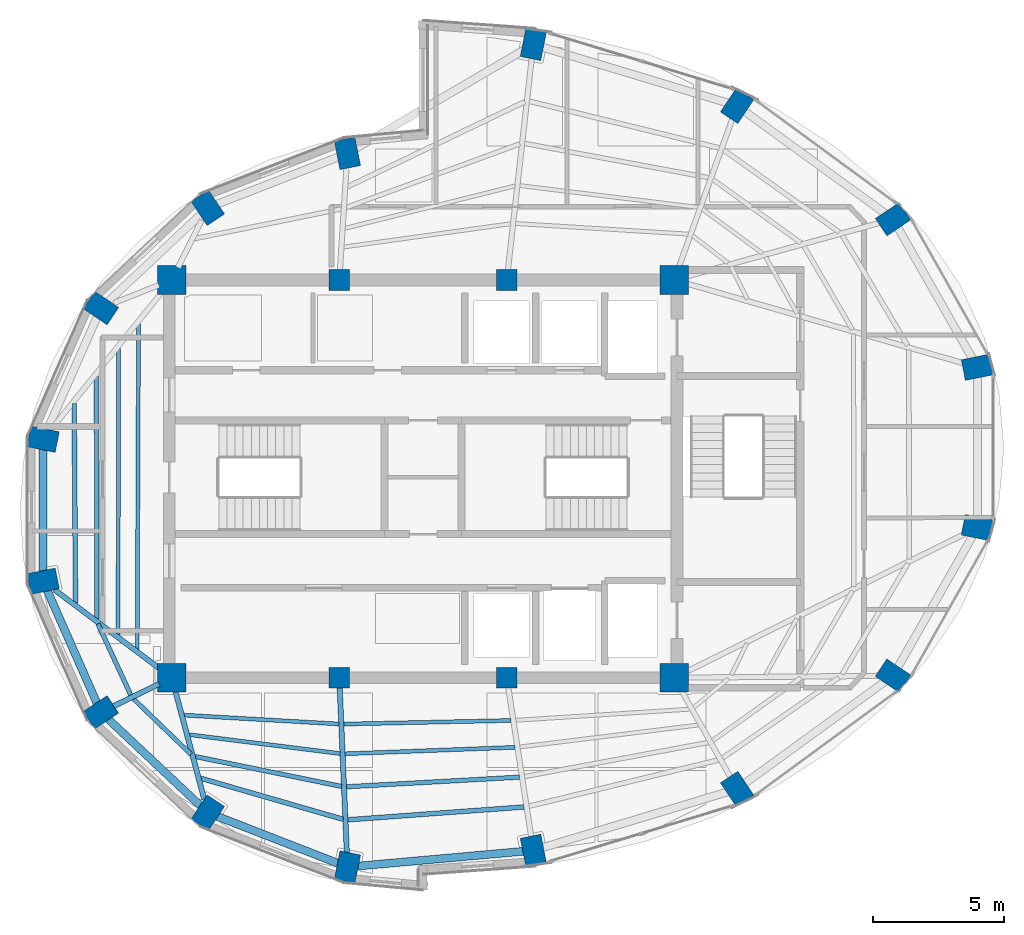
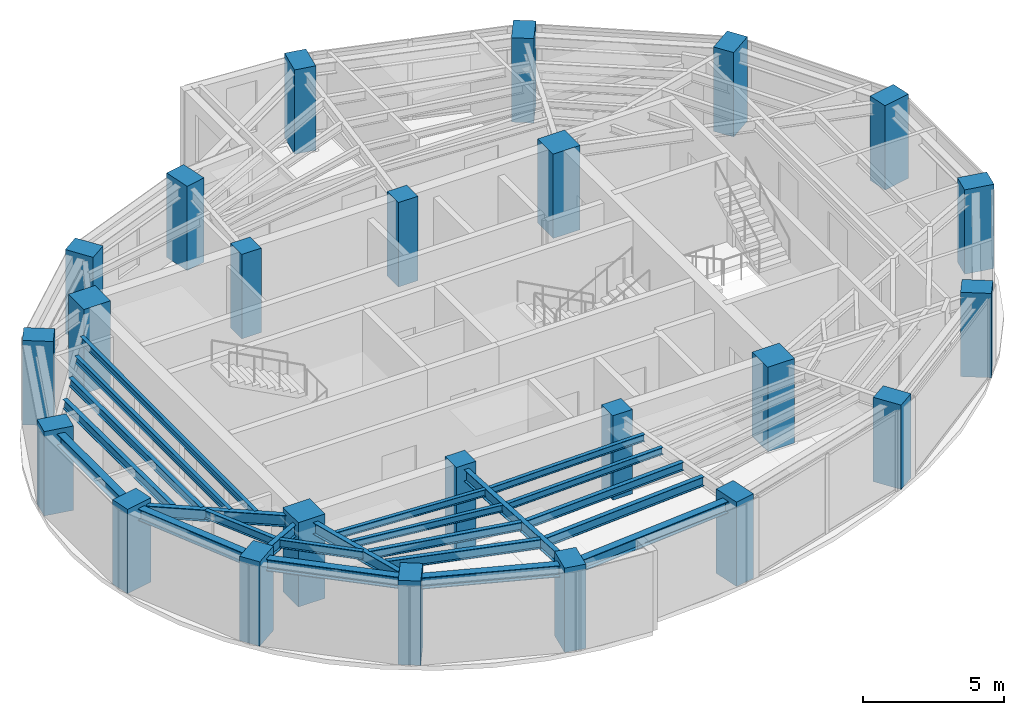
# One storey, part 1 of 13: 24 columns, 23 beams.
"""IFC4 building model written with IfcOpenShell, lengths in metres."""

from ifc_helpers import new_model, si_unit, direction, frame, origin, origin_2d, place, context, subcontext, project, spatial, rectangle, i_section, extrude, material, material_profile, profile_set, type_object, element, save


model = new_model("IFC4")

# Units and contexts
model_context = context("Model", 3, precision=1e-05, world=origin(), true_north=direction((0.0, 1.0)))
body_context = subcontext(model_context, "Body", "Model", "MODEL_VIEW")
ifc_project = project(units=[si_unit("LENGTHUNIT", "METRE"), si_unit("AREAUNIT", "SQUARE_METRE"), si_unit("VOLUMEUNIT", "CUBIC_METRE"), si_unit("PLANEANGLEUNIT", "RADIAN"), si_unit("MASSUNIT", "GRAM", prefix="KILO")], contexts=[model_context])

# Site, building, storey
site_placement = place(None, origin())
site = spatial("IfcSite", under=ifc_project, at=site_placement, CompositionType="ELEMENT")
building_placement = place(site_placement, origin())
building = spatial("IfcBuilding", under=site, at=building_placement, Name="Lazwardi Medical Tower", CompositionType="ELEMENT")
storey_placement = place(building_placement, frame((0.0, 0.0, 273.263916015625)))
storey = spatial("IfcBuildingStorey", under=building, at=storey_placement, Name="L71", CompositionType="ELEMENT", Elevation=273.263916015625)

# Columns
ifc_material_1 = material(Name="Concrete C80/95", Category="concrete")
ifc_material_profile_1 = material_profile(ifc_material_1, rectangle(XDim=1.10009765625, YDim=1.10009765625, at=origin_2d()), Name="RC 1100x1100")
ifc_profile_set_1 = profile_set([ifc_material_profile_1], Name="Concrete C80/95")
column_type_1 = type_object("IfcColumnType", Name="COL-CC-L", PredefinedType="COLUMN", material=ifc_profile_set_1)
for number, where, z_axis, x_axis, name in (
    (1, (26.39990234375, 20.39990234375, 0.0), (0.0, 0.0, 1.0), (1.0, 0.0, 0.0), "Core column CC-01 CC1 L71"),
    (2, (45.60009765625, 20.39990234375, 0.0), (0.0, 0.0, 1.0), (1.0, 0.0, 0.0), "Core column CC-01 CC4 L71"),
    (3, (45.60009765625, 35.60009765625, 0.0), (0.0, 0.0, 1.0), (1.0, 0.0, 0.0), "Core column CC-01 CC5 L71"),
    (4, (26.39990234375, 35.60009765625, 0.0), (0.0, 0.0, 1.0), (1.0, 0.0, 0.0), "Core column CC-01 CC8 L71"),
):
    element("IfcColumn", number, at=place(storey_placement, frame(where, z_axis=z_axis, x_axis=x_axis)), inside=storey, type_object=column_type_1, Name=name, PredefinedType="COLUMN", context=body_context, shape_type="SweptSolid", body=[
        extrude(rectangle(XDim=1.10009765625, YDim=1.10009765625, at=origin_2d()), origin(), (0.0, 0.0, 1.0), 3.648193359375),
    ])
ifc_material_2 = material(Name="Concrete C60/75", Category="concrete")
ifc_material_profile_2 = material_profile(ifc_material_2, rectangle(XDim=0.800048828125, YDim=0.800048828125, at=origin_2d()), Name="RC 800x800")
ifc_profile_set_2 = profile_set([ifc_material_profile_2], Name="Concrete C60/75")
column_type_2 = type_object("IfcColumnType", Name="COL-CC-U", PredefinedType="COLUMN", material=ifc_profile_set_2)
for number, where, z_axis, x_axis, name in (
    (5, (32.800048828125, 20.39990234375, 0.0), (0.0, 0.0, 1.0), (1.0, 0.0, 0.0), "Core column CC-03 CC2 L71"),
    (6, (39.199951171875, 20.39990234375, 0.0), (0.0, 0.0, 1.0), (1.0, 0.0, 0.0), "Core column CC-03 CC3 L71"),
    (7, (39.199951171875, 35.60009765625, 0.0), (0.0, 0.0, 1.0), (1.0, 0.0, 0.0), "Core column CC-03 CC6 L71"),
    (8, (32.800048828125, 35.60009765625, 0.0), (0.0, 0.0, 1.0), (1.0, 0.0, 0.0), "Core column CC-03 CC7 L71"),
):
    element("IfcColumn", number, at=place(storey_placement, frame(where, z_axis=z_axis, x_axis=x_axis)), inside=storey, type_object=column_type_2, Name=name, PredefinedType="COLUMN", context=body_context, shape_type="SweptSolid", body=[
        extrude(rectangle(XDim=0.800048828125, YDim=0.800048828125, at=origin_2d()), origin(), (0.0, 0.0, 1.0), 3.648193359375),
    ])
ifc_material_profile_3 = material_profile(ifc_material_2, rectangle(XDim=1.10009765625, YDim=0.800048828125, at=origin_2d()), Name="CFT-RECT 1100x800")
ifc_profile_set_3 = profile_set([ifc_material_profile_3], Name="Concrete C60/75")
column_type_3 = type_object("IfcColumnType", Name="COL-MC-Z4", PredefinedType="COLUMN", material=ifc_profile_set_3)
for number, where, z_axis, x_axis, name in (
    (9, (40.214111328125, 13.8017578125, 0.0), (0.0, 0.0, 1.0), (0.195090322016, -0.980785280403, 0.0), "Mega column MC-06 M01 L71"),
    (10, (48.000244140625, 16.14599609375, 0.0), (0.0, 0.0, 1.0), (0.55557023302, -0.831469612303, 0.0), "Mega column MC-06 M02 L71"),
    (11, (53.959716796875, 20.4775390625, 0.0), (0.0, 0.0, 1.0), (0.831469612303, -0.55557023302, 0.0), "Mega column MC-06 M03 L71"),
    (12, (57.18505859375, 26.13720703125, 0.0), (0.0, 0.0, 1.0), (0.980785280403, -0.195090322016, 0.0), "Mega column MC-06 M04 L71"),
    (13, (57.18505859375, 32.262939453125, 0.0), (0.0, 0.0, 1.0), (0.980785280403, 0.195090322016, 0.0), "Mega column MC-06 M05 L71"),
    (14, (53.959716796875, 37.922607421875, 0.0), (0.0, 0.0, 1.0), (0.831469612303, 0.55557023302, 0.0), "Mega column MC-06 M06 L71"),
    (15, (48.000244140625, 42.254150390625, 0.0), (0.0, 0.0, 1.0), (0.55557023302, 0.831469612303, 0.0), "Mega column MC-06 M07 L71"),
    (16, (40.214111328125, 44.598388671875, 0.0), (0.0, 0.0, 1.0), (0.195090322016, 0.980785280403, 0.0), "Mega column MC-06 M08 L71"),
    (17, (33.11279296875, 40.432861328125, 0.0), (0.0, 0.0, 1.0), (-0.195090322016, 0.980785280403, 0.0), "Mega column MC-06 M09 L71"),
    (18, (27.777587890625, 38.357421875, 0.0), (0.0, 0.0, 1.0), (-0.55557023302, 0.831469612303, 0.0), "Mega column MC-06 M10 L71"),
    (19, (23.694091796875, 34.5224609375, 0.0), (0.0, 0.0, 1.0), (-0.831469612303, 0.55557023302, 0.0), "Mega column MC-06 M11 L71"),
    (20, (21.484375, 29.51171875, 0.0), (0.0, 0.0, 1.0), (-0.980785280403, 0.195090322016, 0.0), "Mega column MC-06 M12 L71"),
    (21, (21.484375, 24.088134765625, 0.0), (0.0, 0.0, 1.0), (-0.980785280403, -0.195090322016, 0.0), "Mega column MC-06 M13 L71"),
    (22, (23.694091796875, 19.07763671875, 0.0), (0.0, 0.0, 1.0), (-0.831469612303, -0.55557023302, 0.0), "Mega column MC-06 M14 L71"),
    (23, (27.777587890625, 15.24267578125, 0.0), (0.0, 0.0, 1.0), (-0.55557023302, -0.831469612303, 0.0), "Mega column MC-06 M15 L71"),
    (24, (33.11279296875, 13.1669921875, 0.0), (0.0, 0.0, 1.0), (-0.195090322016, -0.980785280403, 0.0), "Mega column MC-06 M16 L71"),
):
    element("IfcColumn", number, at=place(storey_placement, frame(where, z_axis=z_axis, x_axis=x_axis)), inside=storey, type_object=column_type_3, Name=name, PredefinedType="COLUMN", context=body_context, shape_type="SweptSolid", body=[
        extrude(rectangle(XDim=1.10009765625, YDim=0.800048828125, at=origin_2d()), origin(), (0.0, 0.0, 1.0), 3.648193359375),
    ])

# Beams
ifc_material_3 = material(Name="Steel S355", Category="steel")
ifc_material_profile_4 = material_profile(ifc_material_3, i_section(OverallWidth=0.300048828125, OverallDepth=0.5, WebThickness=0.014404296875, FlangeThickness=0.028076171875, at=origin_2d()), Name="HEB 500")
ifc_profile_set_4 = profile_set([ifc_material_profile_4], Name="Steel S355")
beam_type_1 = type_object("IfcBeamType", Name="BM-RB-Z4", PredefinedType="BEAM", material=ifc_profile_set_4)
beam_1_placement = place(storey_placement, frame((21.484375, 29.121826171875, 3.197998046875), z_axis=(0.0, -1.0, 0.0), x_axis=(1.0, 0.0, 0.0)))
element("IfcBeam", 25, at=beam_1_placement, inside=storey, type_object=beam_type_1, Name="Ring beam RB-05 B12 L71", PredefinedType="BEAM", context=body_context, shape_type="SweptSolid", body=[
    extrude(i_section(OverallWidth=0.300048828125, OverallDepth=0.5, WebThickness=0.014404296875, FlangeThickness=0.028076171875, at=origin_2d()), origin(), (0.0, 0.0, 1.0), 4.6435546875),
])
beam_2_placement = place(storey_placement, frame((21.641845703125, 23.7314453125, 3.197998046875), z_axis=(0.403503258239, -0.914978207713, 0.0), x_axis=(0.914978207713, 0.403503258239, 0.0)))
element("IfcBeam", 26, at=beam_2_placement, inside=storey, type_object=beam_type_1, Name="Ring beam RB-05 B13 L71", PredefinedType="BEAM", context=body_context, shape_type="SweptSolid", body=[
    extrude(i_section(OverallWidth=0.300048828125, OverallDepth=0.5, WebThickness=0.014404296875, FlangeThickness=0.028076171875, at=origin_2d()), origin(), (0.0, 0.0, 1.0), 4.696533203125),
])
beam_3_placement = place(storey_placement, frame((23.978515625, 18.810546875, 3.197998046875), z_axis=(0.728935349177, -0.684582541934, 0.0), x_axis=(0.684582541934, 0.728935349177, 0.0)))
element("IfcBeam", 27, at=beam_3_placement, inside=storey, type_object=beam_type_1, Name="Ring beam RB-05 B14 L71", PredefinedType="BEAM", context=body_context, shape_type="SweptSolid", body=[
    extrude(i_section(OverallWidth=0.300048828125, OverallDepth=0.5, WebThickness=0.014404296875, FlangeThickness=0.028076171875, at=origin_2d()), origin(), (0.0, 0.0, 1.0), 4.822021484375),
])
beam_4_placement = place(storey_placement, frame((28.14111328125, 15.101318359375, 3.197998046875), z_axis=(0.931959260109, -0.362563011761, 0.0), x_axis=(0.362563011761, 0.931959260109, 0.0)))
element("IfcBeam", 28, at=beam_4_placement, inside=storey, type_object=beam_type_1, Name="Ring beam RB-05 B15 L71", PredefinedType="BEAM", context=body_context, shape_type="SweptSolid", body=[
    extrude(i_section(OverallWidth=0.300048828125, OverallDepth=0.5, WebThickness=0.014404296875, FlangeThickness=0.028076171875, at=origin_2d()), origin(), (0.0, 0.0, 1.0), 4.944580078125),
])
beam_5_placement = place(storey_placement, frame((33.501220703125, 13.201904296875, 3.197998046875), z_axis=(0.996030403479, 0.089013680669, 0.0), x_axis=(-0.089013680669, 0.996030403479, 0.0)))
element("IfcBeam", 29, at=beam_5_placement, inside=storey, type_object=beam_type_1, Name="Ring beam RB-05 B16 L71", PredefinedType="BEAM", context=body_context, shape_type="SweptSolid", body=[
    extrude(i_section(OverallWidth=0.300048828125, OverallDepth=0.5, WebThickness=0.014404296875, FlangeThickness=0.028076171875, at=origin_2d()), origin(), (0.0, 0.0, 1.0), 6.349365234375),
])
ifc_material_profile_5 = material_profile(ifc_material_3, i_section(OverallWidth=0.199951171875, OverallDepth=0.5, WebThickness=0.01025390625, FlangeThickness=0.01611328125, at=origin_2d()), Name="IPE 500")
ifc_profile_set_5 = profile_set([ifc_material_profile_5], Name="Steel S355")
beam_type_2 = type_object("IfcBeamType", Name="BM-RG-W3", PredefinedType="BEAM", material=ifc_profile_set_5)
beam_6_placement = place(storey_placement, frame((21.912353515625, 23.76708984375, 3.197998046875), z_axis=(0.79990185954, -0.600130831657, 0.0), x_axis=(0.600130831657, 0.79990185954, 0.0)))
element("IfcBeam", 30, at=beam_6_placement, inside=storey, type_object=beam_type_2, Name="Radial girder RG-04 R13 L71", PredefinedType="BEAM", context=body_context, shape_type="SweptSolid", body=[
    extrude(i_section(OverallWidth=0.199951171875, OverallDepth=0.5, WebThickness=0.01025390625, FlangeThickness=0.01611328125, at=origin_2d()), origin(), (0.0, 0.0, 1.0), 5.075439453125),
])
beam_7_placement = place(storey_placement, frame((24.1748046875, 19.3125, 3.197998046875), z_axis=(0.898439482653, 0.43909736507, 0.0), x_axis=(-0.43909736507, 0.898439482653, 0.0)))
element("IfcBeam", 31, at=beam_7_placement, inside=storey, type_object=beam_type_2, Name="Radial girder RG-04 R14 L71", PredefinedType="BEAM", context=body_context, shape_type="SweptSolid", body=[
    extrude(i_section(OverallWidth=0.199951171875, OverallDepth=0.5, WebThickness=0.01025390625, FlangeThickness=0.01611328125, at=origin_2d()), origin(), (0.0, 0.0, 1.0), 1.941650390625),
])
beam_8_placement = place(storey_placement, frame((27.639404296875, 15.759521484375, 3.197998046875), z_axis=(-0.25803645922, 0.966135179834, 0.0), x_axis=(-0.966135179834, -0.25803645922, 0.0)))
element("IfcBeam", 32, at=beam_8_placement, inside=storey, type_object=beam_type_2, Name="Radial girder RG-04 R15 L71", PredefinedType="BEAM", context=body_context, shape_type="SweptSolid", body=[
    extrude(i_section(OverallWidth=0.199951171875, OverallDepth=0.5, WebThickness=0.01025390625, FlangeThickness=0.01611328125, at=origin_2d()), origin(), (0.0, 0.0, 1.0), 4.26806640625),
])
beam_9_placement = place(storey_placement, frame((33.089599609375, 13.70166015625, 3.197998046875), z_axis=(-0.043190778794, 0.999066842923, 0.0), x_axis=(-0.999066842923, -0.043190778794, 0.0)))
element("IfcBeam", 33, at=beam_9_placement, inside=storey, type_object=beam_type_2, Name="Radial girder RG-04 R16 L71", PredefinedType="BEAM", context=body_context, shape_type="SweptSolid", body=[
    extrude(i_section(OverallWidth=0.199951171875, OverallDepth=0.5, WebThickness=0.01025390625, FlangeThickness=0.01611328125, at=origin_2d()), origin(), (0.0, 0.0, 1.0), 6.319580078125),
])
ifc_material_profile_6 = material_profile(ifc_material_3, i_section(OverallWidth=0.179931640625, OverallDepth=0.39990234375, WebThickness=0.008544921875, FlangeThickness=0.013427734375, at=origin_2d()), Name="IPE 400")
ifc_profile_set_6 = profile_set([ifc_material_profile_6], Name="Steel S355")
beam_type_3 = type_object("IfcBeamType", Name="BM-SJ-01", PredefinedType="JOIST", material=ifc_profile_set_6)
beam_10_placement = place(storey_placement, frame((22.669921875, 30.88427734375, 3.248046875), z_axis=(0.007038023905, -0.999975232803, 0.0), x_axis=(0.999975232803, 0.007038023905, 0.0)))
element("IfcBeam", 34, at=beam_10_placement, inside=storey, type_object=beam_type_3, Name="Secondary joist SJ-01 R1 B12 L71", PredefinedType="JOIST", context=body_context, shape_type="SweptSolid", body=[
    extrude(i_section(OverallWidth=0.179931640625, OverallDepth=0.39990234375, WebThickness=0.008544921875, FlangeThickness=0.013427734375, at=origin_2d()), origin(), (0.0, 0.0, 1.0), 7.631591796875),
])
beam_11_placement = place(storey_placement, frame((27.510498046875, 16.557861328125, 3.248046875), z_axis=(0.960828455467, -0.277143787887, 0.0), x_axis=(0.277143787887, 0.960828455467, 0.0)))
element("IfcBeam", 35, at=beam_11_placement, inside=storey, type_object=beam_type_3, Name="Secondary joist SJ-01 R1 B15 L71", PredefinedType="JOIST", context=body_context, shape_type="SweptSolid", body=[
    extrude(i_section(OverallWidth=0.179931640625, OverallDepth=0.39990234375, WebThickness=0.008544921875, FlangeThickness=0.013427734375, at=origin_2d()), origin(), (0.0, 0.0, 1.0), 5.654541015625),
])
beam_12_placement = place(storey_placement, frame((33.129638671875, 14.97119140625, 3.248046875), z_axis=(0.997360105889, 0.072614180298, 0.0), x_axis=(-0.072614180298, 0.997360105889, 0.0)))
element("IfcBeam", 36, at=beam_12_placement, inside=storey, type_object=beam_type_3, Name="Secondary joist SJ-01 R1 B16 L71", PredefinedType="JOIST", context=body_context, shape_type="SweptSolid", body=[
    extrude(i_section(OverallWidth=0.179931640625, OverallDepth=0.39990234375, WebThickness=0.008544921875, FlangeThickness=0.013427734375, at=origin_2d()), origin(), (0.0, 0.0, 1.0), 6.751220703125),
])
ifc_material_profile_7 = material_profile(ifc_material_3, i_section(OverallWidth=0.169921875, OverallDepth=0.360107421875, WebThickness=0.008056640625, FlangeThickness=0.0126953125, at=origin_2d()), Name="IPE 360")
ifc_profile_set_7 = profile_set([ifc_material_profile_7], Name="Steel S355")
beam_type_4 = type_object("IfcBeamType", Name="BM-SJ-02", PredefinedType="JOIST", material=ifc_profile_set_7)
beam_13_placement = place(storey_placement, frame((23.51806640625, 31.935302734375, 3.26806640625), z_axis=(0.001918121439, -0.999998160403, 0.0), x_axis=(0.999998160403, 0.001918121439, 0.0)))
element("IfcBeam", 37, at=beam_13_placement, inside=storey, type_object=beam_type_4, Name="Secondary joist SJ-02 R2 B12 L71", PredefinedType="JOIST", context=body_context, shape_type="SweptSolid", body=[
    extrude(i_section(OverallWidth=0.169921875, OverallDepth=0.360107421875, WebThickness=0.008056640625, FlangeThickness=0.0126953125, at=origin_2d()), origin(), (0.0, 0.0, 1.0), 9.29150390625),
])
beam_14_placement = place(storey_placement, frame((23.575927734375, 22.46240234375, 3.26806640625), z_axis=(0.419120130681, -0.907930788143, 0.0), x_axis=(0.907930788143, 0.419120130681, 0.0)))
element("IfcBeam", 38, at=beam_14_placement, inside=storey, type_object=beam_type_4, Name="Secondary joist SJ-02 R2 B13 L71", PredefinedType="JOIST", context=body_context, shape_type="SweptSolid", body=[
    extrude(i_section(OverallWidth=0.169921875, OverallDepth=0.360107421875, WebThickness=0.008056640625, FlangeThickness=0.0126953125, at=origin_2d()), origin(), (0.0, 0.0, 1.0), 2.998779296875),
])
beam_15_placement = place(storey_placement, frame((24.94091796875, 19.587646484375, 3.26806640625), z_axis=(0.719630919159, -0.694356781626, 0.0), x_axis=(0.694356781626, 0.719630919159, 0.0)))
element("IfcBeam", 39, at=beam_15_placement, inside=storey, type_object=beam_type_4, Name="Secondary joist SJ-02 R2 B14 L71", PredefinedType="JOIST", context=body_context, shape_type="SweptSolid", body=[
    extrude(i_section(OverallWidth=0.169921875, OverallDepth=0.360107421875, WebThickness=0.008056640625, FlangeThickness=0.0126953125, at=origin_2d()), origin(), (0.0, 0.0, 1.0), 3.042724609375),
])
beam_16_placement = place(storey_placement, frame((27.2919921875, 17.389892578125, 3.26806640625), z_axis=(0.979738197465, -0.200282461608, 0.0), x_axis=(0.200282461608, 0.979738197465, 0.0)))
element("IfcBeam", 40, at=beam_16_placement, inside=storey, type_object=beam_type_4, Name="Secondary joist SJ-02 R2 B15 L71", PredefinedType="JOIST", context=body_context, shape_type="SweptSolid", body=[
    extrude(i_section(OverallWidth=0.169921875, OverallDepth=0.360107421875, WebThickness=0.008056640625, FlangeThickness=0.0126953125, at=origin_2d()), origin(), (0.0, 0.0, 1.0), 5.7109375),
])
beam_17_placement = place(storey_placement, frame((33.0751953125, 16.232421875, 3.26806640625), z_axis=(0.998451835098, 0.055623133576, 0.0), x_axis=(-0.055623133576, 0.998451835098, 0.0)))
element("IfcBeam", 41, at=beam_17_placement, inside=storey, type_object=beam_type_4, Name="Secondary joist SJ-02 R2 B16 L71", PredefinedType="JOIST", context=body_context, shape_type="SweptSolid", body=[
    extrude(i_section(OverallWidth=0.169921875, OverallDepth=0.360107421875, WebThickness=0.008056640625, FlangeThickness=0.0126953125, at=origin_2d()), origin(), (0.0, 0.0, 1.0), 6.623291015625),
])
ifc_material_profile_8 = material_profile(ifc_material_3, i_section(OverallWidth=0.14990234375, OverallDepth=0.300048828125, WebThickness=0.007080078125, FlangeThickness=0.0107421875, at=origin_2d()), Name="IPE 300")
ifc_profile_set_8 = profile_set([ifc_material_profile_8], Name="Steel S355")
beam_type_5 = type_object("IfcBeamType", Name="BM-SJ-03", PredefinedType="JOIST", material=ifc_profile_set_8)
beam_18_placement = place(storey_placement, frame((24.366455078125, 32.986572265625, 3.298095703125), z_axis=(-0.001649574216, -0.999998639452, 0.0), x_axis=(0.999998639452, -0.001649574216, 0.0)))
element("IfcBeam", 42, at=beam_18_placement, inside=storey, type_object=beam_type_5, Name="Secondary joist SJ-03 R3 B12 L71", PredefinedType="JOIST", context=body_context, shape_type="SweptSolid", body=[
    extrude(i_section(OverallWidth=0.14990234375, OverallDepth=0.300048828125, WebThickness=0.007080078125, FlangeThickness=0.0107421875, at=origin_2d()), origin(), (0.0, 0.0, 1.0), 10.9521484375),
])
beam_19_placement = place(storey_placement, frame((27.072998046875, 18.221923828125, 3.298095703125), z_axis=(0.992269460733, -0.124102043887, 0.0), x_axis=(0.124102043887, 0.992269460733, 0.0)))
element("IfcBeam", 43, at=beam_19_placement, inside=storey, type_object=beam_type_5, Name="Secondary joist SJ-03 R3 B15 L71", PredefinedType="JOIST", context=body_context, shape_type="SweptSolid", body=[
    extrude(i_section(OverallWidth=0.14990234375, OverallDepth=0.300048828125, WebThickness=0.007080078125, FlangeThickness=0.0107421875, at=origin_2d()), origin(), (0.0, 0.0, 1.0), 5.803466796875),
])
beam_20_placement = place(storey_placement, frame((33.020751953125, 17.493408203125, 3.298095703125), z_axis=(0.999278116384, 0.037990079181, 0.0), x_axis=(-0.037990079181, 0.999278116384, 0.0)))
element("IfcBeam", 44, at=beam_20_placement, inside=storey, type_object=beam_type_5, Name="Secondary joist SJ-03 R3 B16 L71", PredefinedType="JOIST", context=body_context, shape_type="SweptSolid", body=[
    extrude(i_section(OverallWidth=0.14990234375, OverallDepth=0.300048828125, WebThickness=0.007080078125, FlangeThickness=0.0107421875, at=origin_2d()), origin(), (0.0, 0.0, 1.0), 6.4970703125),
])
beam_21_placement = place(storey_placement, frame((25.1298828125, 33.9326171875, 3.298095703125), z_axis=(-0.004060302734, -0.999991756937, 0.0), x_axis=(0.999991756937, -0.004060302734, 0.0)))
element("IfcBeam", 45, at=beam_21_placement, inside=storey, type_object=beam_type_5, Name="Secondary joist SJ-03 R4 B12 L71", PredefinedType="JOIST", context=body_context, shape_type="SweptSolid", body=[
    extrude(i_section(OverallWidth=0.14990234375, OverallDepth=0.300048828125, WebThickness=0.007080078125, FlangeThickness=0.0107421875, at=origin_2d()), origin(), (0.0, 0.0, 1.0), 12.446533203125),
])
beam_22_placement = place(storey_placement, frame((26.875244140625, 18.970458984375, 3.298095703125), z_axis=(0.998360639354, -0.057236647244, 0.0), x_axis=(0.057236647244, 0.998360639354, 0.0)))
element("IfcBeam", 46, at=beam_22_placement, inside=storey, type_object=beam_type_5, Name="Secondary joist SJ-03 R4 B15 L71", PredefinedType="JOIST", context=body_context, shape_type="SweptSolid", body=[
    extrude(i_section(OverallWidth=0.14990234375, OverallDepth=0.300048828125, WebThickness=0.007080078125, FlangeThickness=0.0107421875, at=origin_2d()), origin(), (0.0, 0.0, 1.0), 5.916259765625),
])
beam_23_placement = place(storey_placement, frame((32.9716796875, 18.62841796875, 3.298095703125), z_axis=(0.999768300197, 0.021525471452, 0.0), x_axis=(-0.021525471452, 0.999768300197, 0.0)))
element("IfcBeam", 47, at=beam_23_placement, inside=storey, type_object=beam_type_5, Name="Secondary joist SJ-03 R4 B16 L71", PredefinedType="JOIST", context=body_context, shape_type="SweptSolid", body=[
    extrude(i_section(OverallWidth=0.14990234375, OverallDepth=0.300048828125, WebThickness=0.007080078125, FlangeThickness=0.0107421875, at=origin_2d()), origin(), (0.0, 0.0, 1.0), 6.385498046875),
])

save(model, "model.ifc")
